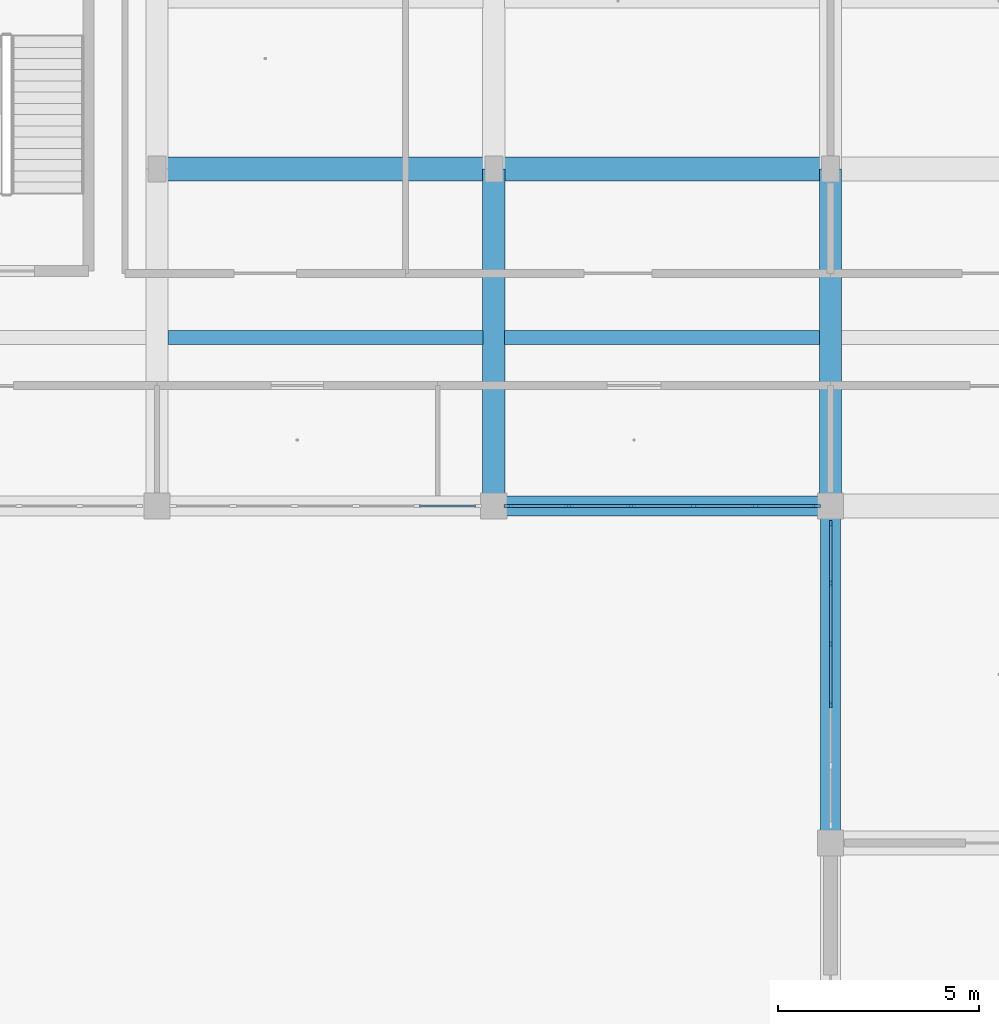
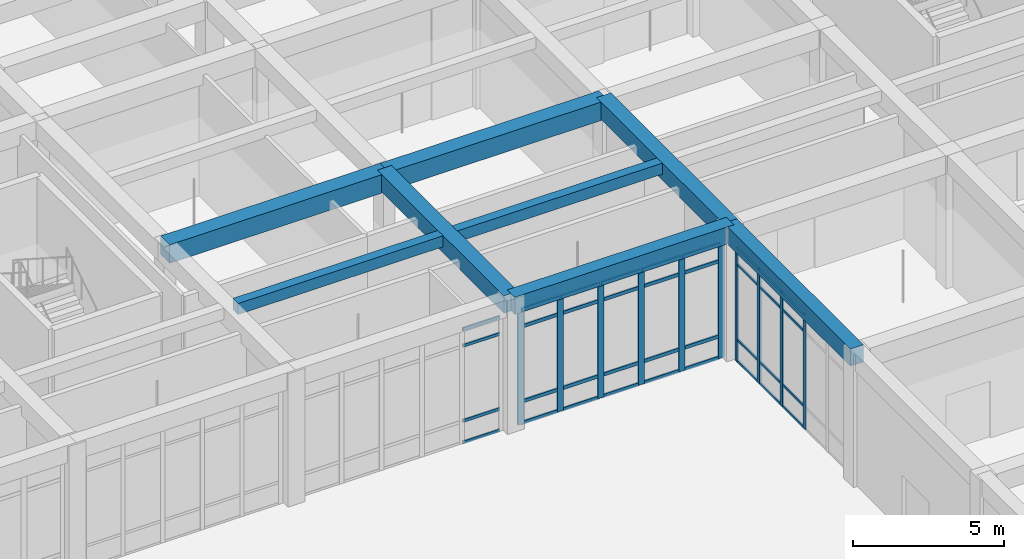
# One storey, part 28 of 167: 46 members, 8 beams, 3 elements without a shape of their own.
"""IFC4 building model written with IfcOpenShell, lengths in metres."""

from ifc_helpers import new_model, si_unit, direction, frame, origin, origin_2d, place, context, subcontext, project, spatial, rectangle, extrude, material, material_profile, profile_set, type_object, element, aggregate, save


model = new_model("IFC4")

# Units and contexts
model_context = context("Model", 3, precision=1e-05, world=origin(), true_north=direction((0.0, 1.0)))
body_context = subcontext(model_context, "Body", "Model", "MODEL_VIEW")
ifc_project = project(units=[si_unit("LENGTHUNIT", "METRE"), si_unit("AREAUNIT", "SQUARE_METRE"), si_unit("VOLUMEUNIT", "CUBIC_METRE"), si_unit("PLANEANGLEUNIT", "RADIAN"), si_unit("MASSUNIT", "GRAM", prefix="KILO")], contexts=[model_context])

# Site, building, storey
site_placement = place(None, origin())
site = spatial("IfcSite", under=ifc_project, at=site_placement, CompositionType="ELEMENT")
building_placement = place(site_placement, origin())
building = spatial("IfcBuilding", under=site, at=building_placement, Name="Varncliffe General Hospital", CompositionType="ELEMENT")
storey_placement = place(building_placement, origin())
storey = spatial("IfcBuildingStorey", under=building, at=storey_placement, Name="L00", CompositionType="ELEMENT", Elevation=0.0)

# Beams
ifc_material_1 = material(Name="Concrete C35/45 (CSA A23.1 35 MPa)", Category="concrete")
ifc_material_profile_1 = material_profile(ifc_material_1, rectangle(XDim=0.60009765625, YDim=0.75, at=origin_2d()), Name="RC 600x750")
ifc_profile_set_1 = profile_set([ifc_material_profile_1], Name="Concrete C35/45 (CSA A23.1 35 MPa)")
beam_type_1 = type_object("IfcBeamType", Name="Beam B23 (Int RC 600x750)", PredefinedType="BEAM", material=ifc_profile_set_1)
beam_1_placement = place(storey_placement, frame((42.0, 91.199951171875, 5.02490234375), z_axis=(1.0, 0.0, 0.0), x_axis=(0.0, 1.0, 0.0)))
element("IfcBeam", 1, at=beam_1_placement, inside=storey, type_object=beam_type_1, Name="L00 Primary Beam B23-137", PredefinedType="BEAM", context=body_context, shape_type="SweptSolid", body=[
    extrude(rectangle(XDim=0.60009765625, YDim=0.75, at=origin_2d()), origin(), (0.0, 0.0, 1.0), 8.39990234375),
])
beam_2_placement = place(storey_placement, frame((50.39990234375, 91.199951171875, 5.02490234375), z_axis=(1.0, 0.0, 0.0), x_axis=(0.0, 1.0, 0.0)))
element("IfcBeam", 2, at=beam_2_placement, inside=storey, type_object=beam_type_1, Name="L00 Primary Beam B23-138", PredefinedType="BEAM", context=body_context, shape_type="SweptSolid", body=[
    extrude(rectangle(XDim=0.60009765625, YDim=0.75, at=origin_2d()), origin(), (0.0, 0.0, 1.0), 8.400146484375),
])
ifc_material_profile_2 = material_profile(ifc_material_1, rectangle(XDim=0.550048828125, YDim=0.699951171875, at=origin_2d()), Name="RC 550x700")
ifc_profile_set_2 = profile_set([ifc_material_profile_2], Name="Concrete C35/45 (CSA A23.1 35 MPa)")
beam_type_2 = type_object("IfcBeamType", Name="Beam B35 (Int RC 550x700)", PredefinedType="BEAM", material=ifc_profile_set_2)
for number, where, z_axis, x_axis, name in (
    (3, (50.39990234375, 82.800048828125, 5.050048828125), (0.0, 1.0, 0.0), (-1.0, 0.0, 0.0), "L00 Primary Beam B35-345"),
    (4, (58.800048828125, 82.800048828125, 5.050048828125), (0.0, 1.0, 0.0), (-1.0, 0.0, 0.0), "L00 Primary Beam B35-361"),
):
    element("IfcBeam", number, at=place(storey_placement, frame(where, z_axis=z_axis, x_axis=x_axis)), inside=storey, type_object=beam_type_2, Name=name, PredefinedType="BEAM", context=body_context, shape_type="SweptSolid", body=[
        extrude(rectangle(XDim=0.550048828125, YDim=0.699951171875, at=origin_2d()), origin(), (0.0, 0.0, 1.0), 8.39990234375),
    ])

# Curtain wall, members
ifc_material_2 = material(Name="Triple low-E argon insulated vision glazing", Category="glass")
curtain_wall_type_1 = type_object("IfcCurtainWallType", Name="Unitised Glazed Curtain Wall CW26 (7594x4640)", PredefinedType="USERDEFINED", material=ifc_material_2)
curtain_wall_1_placement = place(storey_placement, origin())
curtain_wall_1 = element("IfcCurtainWall", 5, at=curtain_wall_1_placement, inside=storey, type_object=curtain_wall_type_1, Name="L00 Glazed Curtain Wall CW26-23", ObjectType="GLAZED CURTAIN WALL", PredefinedType="USERDEFINED")
ifc_material_3 = material(Name="Dark bronze thermally broken aluminium framing", Category="aluminium")
ifc_material_profile_3 = material_profile(ifc_material_3, rectangle(XDim=0.06494140625, YDim=0.159912109375, at=origin_2d()), Name="ALU 65x160")
ifc_profile_set_3 = profile_set([ifc_material_profile_3], Name="Dark bronze thermally broken aluminium framing")
member_type_1 = type_object("IfcMemberType", Name="Curtain Wall Mullion CM65 (ALU 65x160)", PredefinedType="MULLION", material=ifc_profile_set_3)
member_1_placement = place(storey_placement, frame((58.800048828125, 77.840576171875, 0.0), z_axis=(0.0, 0.0, 1.0), x_axis=(-1.0, 0.0, 0.0)))
member_1 = element("IfcMember", 6, at=member_1_placement, type_object=member_type_1, Name="CW26 mullion 3", PredefinedType="MULLION", context=body_context, shape_type="SweptSolid", body=[
    extrude(rectangle(XDim=0.06494140625, YDim=0.159912109375, at=origin_2d()), origin(), (0.0, 0.0, 1.0), 4.639892578125),
])
member_2_placement = place(storey_placement, frame((58.800048828125, 79.359375, 0.0), z_axis=(0.0, 0.0, 1.0), x_axis=(-1.0, 0.0, 0.0)))
member_2 = element("IfcMember", 7, at=member_2_placement, type_object=member_type_1, Name="CW26 mullion 4", PredefinedType="MULLION", context=body_context, shape_type="SweptSolid", body=[
    extrude(rectangle(XDim=0.06494140625, YDim=0.159912109375, at=origin_2d()), origin(), (0.0, 0.0, 1.0), 4.639892578125),
])
member_3_placement = place(storey_placement, frame((58.800048828125, 80.878173828125, 0.0), z_axis=(0.0, 0.0, 1.0), x_axis=(-1.0, 0.0, 0.0)))
member_3 = element("IfcMember", 8, at=member_3_placement, type_object=member_type_1, Name="CW26 mullion 5", PredefinedType="MULLION", context=body_context, shape_type="SweptSolid", body=[
    extrude(rectangle(XDim=0.06494140625, YDim=0.159912109375, at=origin_2d()), origin(), (0.0, 0.0, 1.0), 4.639892578125),
])
member_4_placement = place(storey_placement, frame((58.800048828125, 82.364501953125, 0.0), z_axis=(0.0, 0.0, 1.0), x_axis=(-1.0, 0.0, 0.0)))
member_4 = element("IfcMember", 9, at=member_4_placement, type_object=member_type_1, Name="CW26 mullion 6", PredefinedType="MULLION", context=body_context, shape_type="SweptSolid", body=[
    extrude(rectangle(XDim=0.06494140625, YDim=0.159912109375, at=origin_2d()), origin(), (0.0, 0.0, 1.0), 4.639892578125),
])

curtain_wall_type_2 = type_object("IfcCurtainWallType", Name="Unitised Glazed Curtain Wall CW66 (7754x4640)", PredefinedType="USERDEFINED", material=ifc_material_2)
curtain_wall_2_placement = place(storey_placement, origin())
curtain_wall_2 = element("IfcCurtainWall", 10, at=curtain_wall_2_placement, inside=storey, type_object=curtain_wall_type_2, Name="L00 Glazed Curtain Wall CW66-24", ObjectType="GLAZED CURTAIN WALL", PredefinedType="USERDEFINED")
ifc_material_profile_4 = material_profile(ifc_material_3, rectangle(XDim=0.074951171875, YDim=0.219970703125, at=origin_2d()), Name="ALU 75x220")
ifc_profile_set_4 = profile_set([ifc_material_profile_4], Name="Dark bronze thermally broken aluminium framing")
member_type_2 = type_object("IfcMemberType", Name="Curtain Wall Mullion CM74 (ALU 75x220)", PredefinedType="MULLION", material=ifc_profile_set_4)
member_5_placement = place(storey_placement, frame((58.439453125, 82.800048828125, 0.0), z_axis=(0.0, 0.0, 1.0), x_axis=(0.0, -1.0, 0.0)))
member_5 = element("IfcMember", 11, at=member_5_placement, type_object=member_type_2, Name="CW66 mullion 1", PredefinedType="MULLION", context=body_context, shape_type="SweptSolid", body=[
    extrude(rectangle(XDim=0.074951171875, YDim=0.219970703125, at=origin_2d()), origin(), (0.0, 0.0, 1.0), 4.639892578125),
])
member_6_placement = place(storey_placement, frame((56.92626953125, 82.800048828125, 0.0), z_axis=(0.0, 0.0, 1.0), x_axis=(0.0, -1.0, 0.0)))
member_6 = element("IfcMember", 12, at=member_6_placement, type_object=member_type_2, Name="CW66 mullion 2", PredefinedType="MULLION", context=body_context, shape_type="SweptSolid", body=[
    extrude(rectangle(XDim=0.074951171875, YDim=0.219970703125, at=origin_2d()), origin(), (0.0, 0.0, 1.0), 4.639892578125),
])
member_7_placement = place(storey_placement, frame((55.37548828125, 82.800048828125, 0.0), z_axis=(0.0, 0.0, 1.0), x_axis=(0.0, -1.0, 0.0)))
member_7 = element("IfcMember", 13, at=member_7_placement, type_object=member_type_2, Name="CW66 mullion 3", PredefinedType="MULLION", context=body_context, shape_type="SweptSolid", body=[
    extrude(rectangle(XDim=0.074951171875, YDim=0.219970703125, at=origin_2d()), origin(), (0.0, 0.0, 1.0), 4.639892578125),
])
member_8_placement = place(storey_placement, frame((53.82470703125, 82.800048828125, 0.0), z_axis=(0.0, 0.0, 1.0), x_axis=(0.0, -1.0, 0.0)))
member_8 = element("IfcMember", 14, at=member_8_placement, type_object=member_type_2, Name="CW66 mullion 4", PredefinedType="MULLION", context=body_context, shape_type="SweptSolid", body=[
    extrude(rectangle(XDim=0.074951171875, YDim=0.219970703125, at=origin_2d()), origin(), (0.0, 0.0, 1.0), 4.639892578125),
])
member_9_placement = place(storey_placement, frame((52.273681640625, 82.800048828125, 0.0), z_axis=(0.0, 0.0, 1.0), x_axis=(0.0, -1.0, 0.0)))
member_9 = element("IfcMember", 15, at=member_9_placement, type_object=member_type_2, Name="CW66 mullion 5", PredefinedType="MULLION", context=body_context, shape_type="SweptSolid", body=[
    extrude(rectangle(XDim=0.074951171875, YDim=0.219970703125, at=origin_2d()), origin(), (0.0, 0.0, 1.0), 4.639892578125),
])
member_10_placement = place(storey_placement, frame((50.760498046875, 82.800048828125, 0.0), z_axis=(0.0, 0.0, 1.0), x_axis=(0.0, -1.0, 0.0)))
member_10 = element("IfcMember", 16, at=member_10_placement, type_object=member_type_2, Name="CW66 mullion 6", PredefinedType="MULLION", context=body_context, shape_type="SweptSolid", body=[
    extrude(rectangle(XDim=0.074951171875, YDim=0.219970703125, at=origin_2d()), origin(), (0.0, 0.0, 1.0), 4.639892578125),
])

curtain_wall_type_3 = type_object("IfcCurtainWallType", Name="Unitised Glazed Curtain Wall CW15 (7674x4640)", PredefinedType="USERDEFINED", material=ifc_material_2)
curtain_wall_3_placement = place(storey_placement, origin())
curtain_wall_3 = element("IfcCurtainWall", 17, at=curtain_wall_3_placement, inside=storey, type_object=curtain_wall_type_3, Name="L00 Glazed Curtain Wall CW15-25", ObjectType="GLAZED CURTAIN WALL", PredefinedType="USERDEFINED")
ifc_material_profile_5 = material_profile(ifc_material_3, rectangle(XDim=0.06005859375, YDim=0.1201171875, at=origin_2d()), Name="ALU 60x120")
ifc_profile_set_5 = profile_set([ifc_material_profile_5], Name="Dark bronze thermally broken aluminium framing")
member_type_3 = type_object("IfcMemberType", Name="Curtain Wall Transom CT14 (ALU 60x120)", PredefinedType="USERDEFINED", material=ifc_profile_set_5)
member_11_placement = place(storey_placement, frame((49.9619140625, 82.800048828125, 0.030029296875), z_axis=(-1.0, 0.0, 0.0), x_axis=(0.0, -1.0, 0.0)))
member_11 = element("IfcMember", 18, at=member_11_placement, type_object=member_type_3, Name="CW15 transom 1.1", ObjectType="TRANSOM", PredefinedType="USERDEFINED", context=body_context, shape_type="SweptSolid", body=[
    extrude(rectangle(XDim=0.06005859375, YDim=0.1201171875, at=origin_2d()), origin(), (0.0, 0.0, 1.0), 1.422119140625),
])
member_12_placement = place(storey_placement, frame((49.9619140625, 82.800048828125, 0.89990234375), z_axis=(-1.0, 0.0, 0.0), x_axis=(0.0, -1.0, 0.0)))
member_12 = element("IfcMember", 19, at=member_12_placement, type_object=member_type_3, Name="CW15 transom 1.2", ObjectType="TRANSOM", PredefinedType="USERDEFINED", context=body_context, shape_type="SweptSolid", body=[
    extrude(rectangle(XDim=0.06005859375, YDim=0.1201171875, at=origin_2d()), origin(), (0.0, 0.0, 1.0), 1.422119140625),
])
member_13_placement = place(storey_placement, frame((49.9619140625, 82.800048828125, 3.93994140625), z_axis=(-1.0, 0.0, 0.0), x_axis=(0.0, -1.0, 0.0)))
member_13 = element("IfcMember", 20, at=member_13_placement, type_object=member_type_3, Name="CW15 transom 1.3", ObjectType="TRANSOM", PredefinedType="USERDEFINED", context=body_context, shape_type="SweptSolid", body=[
    extrude(rectangle(XDim=0.06005859375, YDim=0.1201171875, at=origin_2d()), origin(), (0.0, 0.0, 1.0), 1.422119140625),
])
member_14_placement = place(storey_placement, frame((49.9619140625, 82.800048828125, 4.610107421875), z_axis=(-1.0, 0.0, 0.0), x_axis=(0.0, -1.0, 0.0)))
member_14 = element("IfcMember", 21, at=member_14_placement, type_object=member_type_3, Name="CW15 transom 1.4", ObjectType="TRANSOM", PredefinedType="USERDEFINED", context=body_context, shape_type="SweptSolid", body=[
    extrude(rectangle(XDim=0.06005859375, YDim=0.1201171875, at=origin_2d()), origin(), (0.0, 0.0, 1.0), 1.422119140625),
])
aggregate(curtain_wall_3, [member_11, member_12, member_13, member_14])

# Member
ifc_material_profile_6 = material_profile(ifc_material_3, rectangle(XDim=0.06005859375, YDim=0.10009765625, at=origin_2d()), Name="ALU 60x100")
ifc_profile_set_6 = profile_set([ifc_material_profile_6], Name="Dark bronze thermally broken aluminium framing")
member_type_4 = type_object("IfcMemberType", Name="Curtain Wall Transom CT18 (ALU 60x100)", PredefinedType="USERDEFINED", material=ifc_profile_set_6)
member_15_placement = place(storey_placement, frame((58.800048828125, 77.873046875, 0.030029296875), z_axis=(0.0, 1.0, 0.0), x_axis=(-1.0, 0.0, 0.0)))
member_15 = element("IfcMember", 22, at=member_15_placement, type_object=member_type_4, Name="CW26 transom 3.1", ObjectType="TRANSOM", PredefinedType="USERDEFINED", context=body_context, shape_type="SweptSolid", body=[
    extrude(rectangle(XDim=0.06005859375, YDim=0.10009765625, at=origin_2d()), origin(), (0.0, 0.0, 1.0), 1.453857421875),
])

member_16_placement = place(storey_placement, frame((58.800048828125, 77.873046875, 0.89990234375), z_axis=(0.0, 1.0, 0.0), x_axis=(-1.0, 0.0, 0.0)))
member_16 = element("IfcMember", 23, at=member_16_placement, type_object=member_type_4, Name="CW26 transom 3.2", ObjectType="TRANSOM", PredefinedType="USERDEFINED", context=body_context, shape_type="SweptSolid", body=[
    extrude(rectangle(XDim=0.06005859375, YDim=0.10009765625, at=origin_2d()), origin(), (0.0, 0.0, 1.0), 1.453857421875),
])

member_17_placement = place(storey_placement, frame((58.800048828125, 77.873046875, 3.93994140625), z_axis=(0.0, 1.0, 0.0), x_axis=(-1.0, 0.0, 0.0)))
member_17 = element("IfcMember", 24, at=member_17_placement, type_object=member_type_4, Name="CW26 transom 3.3", ObjectType="TRANSOM", PredefinedType="USERDEFINED", context=body_context, shape_type="SweptSolid", body=[
    extrude(rectangle(XDim=0.06005859375, YDim=0.10009765625, at=origin_2d()), origin(), (0.0, 0.0, 1.0), 1.453857421875),
])

member_18_placement = place(storey_placement, frame((58.800048828125, 77.873046875, 4.610107421875), z_axis=(0.0, 1.0, 0.0), x_axis=(-1.0, 0.0, 0.0)))
member_18 = element("IfcMember", 25, at=member_18_placement, type_object=member_type_4, Name="CW26 transom 3.4", ObjectType="TRANSOM", PredefinedType="USERDEFINED", context=body_context, shape_type="SweptSolid", body=[
    extrude(rectangle(XDim=0.06005859375, YDim=0.10009765625, at=origin_2d()), origin(), (0.0, 0.0, 1.0), 1.453857421875),
])

member_19_placement = place(storey_placement, frame((58.800048828125, 79.391845703125, 0.030029296875), z_axis=(0.0, 1.0, 0.0), x_axis=(-1.0, 0.0, 0.0)))
member_19 = element("IfcMember", 26, at=member_19_placement, type_object=member_type_4, Name="CW26 transom 4.1", ObjectType="TRANSOM", PredefinedType="USERDEFINED", context=body_context, shape_type="SweptSolid", body=[
    extrude(rectangle(XDim=0.06005859375, YDim=0.10009765625, at=origin_2d()), origin(), (0.0, 0.0, 1.0), 1.453857421875),
])

member_20_placement = place(storey_placement, frame((58.800048828125, 79.391845703125, 0.89990234375), z_axis=(0.0, 1.0, 0.0), x_axis=(-1.0, 0.0, 0.0)))
member_20 = element("IfcMember", 27, at=member_20_placement, type_object=member_type_4, Name="CW26 transom 4.2", ObjectType="TRANSOM", PredefinedType="USERDEFINED", context=body_context, shape_type="SweptSolid", body=[
    extrude(rectangle(XDim=0.06005859375, YDim=0.10009765625, at=origin_2d()), origin(), (0.0, 0.0, 1.0), 1.453857421875),
])

member_21_placement = place(storey_placement, frame((58.800048828125, 79.391845703125, 3.93994140625), z_axis=(0.0, 1.0, 0.0), x_axis=(-1.0, 0.0, 0.0)))
member_21 = element("IfcMember", 28, at=member_21_placement, type_object=member_type_4, Name="CW26 transom 4.3", ObjectType="TRANSOM", PredefinedType="USERDEFINED", context=body_context, shape_type="SweptSolid", body=[
    extrude(rectangle(XDim=0.06005859375, YDim=0.10009765625, at=origin_2d()), origin(), (0.0, 0.0, 1.0), 1.453857421875),
])

member_22_placement = place(storey_placement, frame((58.800048828125, 79.391845703125, 4.610107421875), z_axis=(0.0, 1.0, 0.0), x_axis=(-1.0, 0.0, 0.0)))
member_22 = element("IfcMember", 29, at=member_22_placement, type_object=member_type_4, Name="CW26 transom 4.4", ObjectType="TRANSOM", PredefinedType="USERDEFINED", context=body_context, shape_type="SweptSolid", body=[
    extrude(rectangle(XDim=0.06005859375, YDim=0.10009765625, at=origin_2d()), origin(), (0.0, 0.0, 1.0), 1.453857421875),
])

member_23_placement = place(storey_placement, frame((58.800048828125, 80.91064453125, 0.030029296875), z_axis=(0.0, 1.0, 0.0), x_axis=(-1.0, 0.0, 0.0)))
member_23 = element("IfcMember", 30, at=member_23_placement, type_object=member_type_4, Name="CW26 transom 5.1", ObjectType="TRANSOM", PredefinedType="USERDEFINED", context=body_context, shape_type="SweptSolid", body=[
    extrude(rectangle(XDim=0.06005859375, YDim=0.10009765625, at=origin_2d()), origin(), (0.0, 0.0, 1.0), 1.42138671875),
])

member_24_placement = place(storey_placement, frame((58.800048828125, 80.91064453125, 0.89990234375), z_axis=(0.0, 1.0, 0.0), x_axis=(-1.0, 0.0, 0.0)))
member_24 = element("IfcMember", 31, at=member_24_placement, type_object=member_type_4, Name="CW26 transom 5.2", ObjectType="TRANSOM", PredefinedType="USERDEFINED", context=body_context, shape_type="SweptSolid", body=[
    extrude(rectangle(XDim=0.06005859375, YDim=0.10009765625, at=origin_2d()), origin(), (0.0, 0.0, 1.0), 1.42138671875),
])

member_25_placement = place(storey_placement, frame((58.800048828125, 80.91064453125, 3.93994140625), z_axis=(0.0, 1.0, 0.0), x_axis=(-1.0, 0.0, 0.0)))
member_25 = element("IfcMember", 32, at=member_25_placement, type_object=member_type_4, Name="CW26 transom 5.3", ObjectType="TRANSOM", PredefinedType="USERDEFINED", context=body_context, shape_type="SweptSolid", body=[
    extrude(rectangle(XDim=0.06005859375, YDim=0.10009765625, at=origin_2d()), origin(), (0.0, 0.0, 1.0), 1.42138671875),
])

member_26_placement = place(storey_placement, frame((58.800048828125, 80.91064453125, 4.610107421875), z_axis=(0.0, 1.0, 0.0), x_axis=(-1.0, 0.0, 0.0)))
member_26 = element("IfcMember", 33, at=member_26_placement, type_object=member_type_4, Name="CW26 transom 5.4", ObjectType="TRANSOM", PredefinedType="USERDEFINED", context=body_context, shape_type="SweptSolid", body=[
    extrude(rectangle(XDim=0.06005859375, YDim=0.10009765625, at=origin_2d()), origin(), (0.0, 0.0, 1.0), 1.42138671875),
])

aggregate(curtain_wall_1, [member_1, member_2, member_3, member_4, member_15, member_16, member_17, member_18, member_19, member_20, member_21, member_22, member_23, member_24, member_25, member_26])

ifc_material_profile_7 = material_profile(ifc_material_3, rectangle(XDim=0.06494140625, YDim=0.139892578125, at=origin_2d()), Name="ALU 65x140")
ifc_profile_set_7 = profile_set([ifc_material_profile_7], Name="Dark bronze thermally broken aluminium framing")
member_type_5 = type_object("IfcMemberType", Name="Curtain Wall Transom CT69 (ALU 65x140)", PredefinedType="USERDEFINED", material=ifc_profile_set_7)
member_27_placement = place(storey_placement, frame((58.402099609375, 82.800048828125, 0.032470703125), z_axis=(-1.0, 0.0, 0.0), x_axis=(0.0, -1.0, 0.0)))
member_27 = element("IfcMember", 34, at=member_27_placement, type_object=member_type_5, Name="CW66 transom 1.1", ObjectType="TRANSOM", PredefinedType="USERDEFINED", context=body_context, shape_type="SweptSolid", body=[
    extrude(rectangle(XDim=0.06494140625, YDim=0.139892578125, at=origin_2d()), origin(), (0.0, 0.0, 1.0), 1.4384765625),
])

member_28_placement = place(storey_placement, frame((58.402099609375, 82.800048828125, 0.89990234375), z_axis=(-1.0, 0.0, 0.0), x_axis=(0.0, -1.0, 0.0)))
member_28 = element("IfcMember", 35, at=member_28_placement, type_object=member_type_5, Name="CW66 transom 1.2", ObjectType="TRANSOM", PredefinedType="USERDEFINED", context=body_context, shape_type="SweptSolid", body=[
    extrude(rectangle(XDim=0.06494140625, YDim=0.139892578125, at=origin_2d()), origin(), (0.0, 0.0, 1.0), 1.4384765625),
])

member_29_placement = place(storey_placement, frame((58.402099609375, 82.800048828125, 3.93994140625), z_axis=(-1.0, 0.0, 0.0), x_axis=(0.0, -1.0, 0.0)))
member_29 = element("IfcMember", 36, at=member_29_placement, type_object=member_type_5, Name="CW66 transom 1.3", ObjectType="TRANSOM", PredefinedType="USERDEFINED", context=body_context, shape_type="SweptSolid", body=[
    extrude(rectangle(XDim=0.06494140625, YDim=0.139892578125, at=origin_2d()), origin(), (0.0, 0.0, 1.0), 1.4384765625),
])

member_30_placement = place(storey_placement, frame((58.402099609375, 82.800048828125, 4.607421875), z_axis=(-1.0, 0.0, 0.0), x_axis=(0.0, -1.0, 0.0)))
member_30 = element("IfcMember", 37, at=member_30_placement, type_object=member_type_5, Name="CW66 transom 1.4", ObjectType="TRANSOM", PredefinedType="USERDEFINED", context=body_context, shape_type="SweptSolid", body=[
    extrude(rectangle(XDim=0.06494140625, YDim=0.139892578125, at=origin_2d()), origin(), (0.0, 0.0, 1.0), 1.4384765625),
])

member_31_placement = place(storey_placement, frame((56.888671875, 82.800048828125, 0.032470703125), z_axis=(-1.0, 0.0, 0.0), x_axis=(0.0, -1.0, 0.0)))
member_31 = element("IfcMember", 38, at=member_31_placement, type_object=member_type_5, Name="CW66 transom 2.1", ObjectType="TRANSOM", PredefinedType="USERDEFINED", context=body_context, shape_type="SweptSolid", body=[
    extrude(rectangle(XDim=0.06494140625, YDim=0.139892578125, at=origin_2d()), origin(), (0.0, 0.0, 1.0), 1.475830078125),
])

member_32_placement = place(storey_placement, frame((56.888671875, 82.800048828125, 0.89990234375), z_axis=(-1.0, 0.0, 0.0), x_axis=(0.0, -1.0, 0.0)))
member_32 = element("IfcMember", 39, at=member_32_placement, type_object=member_type_5, Name="CW66 transom 2.2", ObjectType="TRANSOM", PredefinedType="USERDEFINED", context=body_context, shape_type="SweptSolid", body=[
    extrude(rectangle(XDim=0.06494140625, YDim=0.139892578125, at=origin_2d()), origin(), (0.0, 0.0, 1.0), 1.475830078125),
])

member_33_placement = place(storey_placement, frame((56.888671875, 82.800048828125, 3.93994140625), z_axis=(-1.0, 0.0, 0.0), x_axis=(0.0, -1.0, 0.0)))
member_33 = element("IfcMember", 40, at=member_33_placement, type_object=member_type_5, Name="CW66 transom 2.3", ObjectType="TRANSOM", PredefinedType="USERDEFINED", context=body_context, shape_type="SweptSolid", body=[
    extrude(rectangle(XDim=0.06494140625, YDim=0.139892578125, at=origin_2d()), origin(), (0.0, 0.0, 1.0), 1.475830078125),
])

member_34_placement = place(storey_placement, frame((56.888671875, 82.800048828125, 4.607421875), z_axis=(-1.0, 0.0, 0.0), x_axis=(0.0, -1.0, 0.0)))
member_34 = element("IfcMember", 41, at=member_34_placement, type_object=member_type_5, Name="CW66 transom 2.4", ObjectType="TRANSOM", PredefinedType="USERDEFINED", context=body_context, shape_type="SweptSolid", body=[
    extrude(rectangle(XDim=0.06494140625, YDim=0.139892578125, at=origin_2d()), origin(), (0.0, 0.0, 1.0), 1.475830078125),
])

member_35_placement = place(storey_placement, frame((55.337890625, 82.800048828125, 0.032470703125), z_axis=(-1.0, 0.0, 0.0), x_axis=(0.0, -1.0, 0.0)))
member_35 = element("IfcMember", 42, at=member_35_placement, type_object=member_type_5, Name="CW66 transom 3.1", ObjectType="TRANSOM", PredefinedType="USERDEFINED", context=body_context, shape_type="SweptSolid", body=[
    extrude(rectangle(XDim=0.06494140625, YDim=0.139892578125, at=origin_2d()), origin(), (0.0, 0.0, 1.0), 1.475830078125),
])

member_36_placement = place(storey_placement, frame((55.337890625, 82.800048828125, 0.89990234375), z_axis=(-1.0, 0.0, 0.0), x_axis=(0.0, -1.0, 0.0)))
member_36 = element("IfcMember", 43, at=member_36_placement, type_object=member_type_5, Name="CW66 transom 3.2", ObjectType="TRANSOM", PredefinedType="USERDEFINED", context=body_context, shape_type="SweptSolid", body=[
    extrude(rectangle(XDim=0.06494140625, YDim=0.139892578125, at=origin_2d()), origin(), (0.0, 0.0, 1.0), 1.475830078125),
])

member_37_placement = place(storey_placement, frame((55.337890625, 82.800048828125, 3.93994140625), z_axis=(-1.0, 0.0, 0.0), x_axis=(0.0, -1.0, 0.0)))
member_37 = element("IfcMember", 44, at=member_37_placement, type_object=member_type_5, Name="CW66 transom 3.3", ObjectType="TRANSOM", PredefinedType="USERDEFINED", context=body_context, shape_type="SweptSolid", body=[
    extrude(rectangle(XDim=0.06494140625, YDim=0.139892578125, at=origin_2d()), origin(), (0.0, 0.0, 1.0), 1.475830078125),
])

member_38_placement = place(storey_placement, frame((55.337890625, 82.800048828125, 4.607421875), z_axis=(-1.0, 0.0, 0.0), x_axis=(0.0, -1.0, 0.0)))
member_38 = element("IfcMember", 45, at=member_38_placement, type_object=member_type_5, Name="CW66 transom 3.4", ObjectType="TRANSOM", PredefinedType="USERDEFINED", context=body_context, shape_type="SweptSolid", body=[
    extrude(rectangle(XDim=0.06494140625, YDim=0.139892578125, at=origin_2d()), origin(), (0.0, 0.0, 1.0), 1.475830078125),
])

member_39_placement = place(storey_placement, frame((53.787109375, 82.800048828125, 0.032470703125), z_axis=(-1.0, 0.0, 0.0), x_axis=(0.0, -1.0, 0.0)))
member_39 = element("IfcMember", 46, at=member_39_placement, type_object=member_type_5, Name="CW66 transom 4.1", ObjectType="TRANSOM", PredefinedType="USERDEFINED", context=body_context, shape_type="SweptSolid", body=[
    extrude(rectangle(XDim=0.06494140625, YDim=0.139892578125, at=origin_2d()), origin(), (0.0, 0.0, 1.0), 1.475830078125),
])

member_40_placement = place(storey_placement, frame((53.787109375, 82.800048828125, 0.89990234375), z_axis=(-1.0, 0.0, 0.0), x_axis=(0.0, -1.0, 0.0)))
member_40 = element("IfcMember", 47, at=member_40_placement, type_object=member_type_5, Name="CW66 transom 4.2", ObjectType="TRANSOM", PredefinedType="USERDEFINED", context=body_context, shape_type="SweptSolid", body=[
    extrude(rectangle(XDim=0.06494140625, YDim=0.139892578125, at=origin_2d()), origin(), (0.0, 0.0, 1.0), 1.475830078125),
])

member_41_placement = place(storey_placement, frame((53.787109375, 82.800048828125, 3.93994140625), z_axis=(-1.0, 0.0, 0.0), x_axis=(0.0, -1.0, 0.0)))
member_41 = element("IfcMember", 48, at=member_41_placement, type_object=member_type_5, Name="CW66 transom 4.3", ObjectType="TRANSOM", PredefinedType="USERDEFINED", context=body_context, shape_type="SweptSolid", body=[
    extrude(rectangle(XDim=0.06494140625, YDim=0.139892578125, at=origin_2d()), origin(), (0.0, 0.0, 1.0), 1.475830078125),
])

member_42_placement = place(storey_placement, frame((53.787109375, 82.800048828125, 4.607421875), z_axis=(-1.0, 0.0, 0.0), x_axis=(0.0, -1.0, 0.0)))
member_42 = element("IfcMember", 49, at=member_42_placement, type_object=member_type_5, Name="CW66 transom 4.4", ObjectType="TRANSOM", PredefinedType="USERDEFINED", context=body_context, shape_type="SweptSolid", body=[
    extrude(rectangle(XDim=0.06494140625, YDim=0.139892578125, at=origin_2d()), origin(), (0.0, 0.0, 1.0), 1.475830078125),
])

member_43_placement = place(storey_placement, frame((52.236328125, 82.800048828125, 0.032470703125), z_axis=(-1.0, 0.0, 0.0), x_axis=(0.0, -1.0, 0.0)))
member_43 = element("IfcMember", 50, at=member_43_placement, type_object=member_type_5, Name="CW66 transom 5.1", ObjectType="TRANSOM", PredefinedType="USERDEFINED", context=body_context, shape_type="SweptSolid", body=[
    extrude(rectangle(XDim=0.06494140625, YDim=0.139892578125, at=origin_2d()), origin(), (0.0, 0.0, 1.0), 1.438232421875),
])

member_44_placement = place(storey_placement, frame((52.236328125, 82.800048828125, 0.89990234375), z_axis=(-1.0, 0.0, 0.0), x_axis=(0.0, -1.0, 0.0)))
member_44 = element("IfcMember", 51, at=member_44_placement, type_object=member_type_5, Name="CW66 transom 5.2", ObjectType="TRANSOM", PredefinedType="USERDEFINED", context=body_context, shape_type="SweptSolid", body=[
    extrude(rectangle(XDim=0.06494140625, YDim=0.139892578125, at=origin_2d()), origin(), (0.0, 0.0, 1.0), 1.438232421875),
])

member_45_placement = place(storey_placement, frame((52.236328125, 82.800048828125, 3.93994140625), z_axis=(-1.0, 0.0, 0.0), x_axis=(0.0, -1.0, 0.0)))
member_45 = element("IfcMember", 52, at=member_45_placement, type_object=member_type_5, Name="CW66 transom 5.3", ObjectType="TRANSOM", PredefinedType="USERDEFINED", context=body_context, shape_type="SweptSolid", body=[
    extrude(rectangle(XDim=0.06494140625, YDim=0.139892578125, at=origin_2d()), origin(), (0.0, 0.0, 1.0), 1.438232421875),
])

member_46_placement = place(storey_placement, frame((52.236328125, 82.800048828125, 4.607421875), z_axis=(-1.0, 0.0, 0.0), x_axis=(0.0, -1.0, 0.0)))
member_46 = element("IfcMember", 53, at=member_46_placement, type_object=member_type_5, Name="CW66 transom 5.4", ObjectType="TRANSOM", PredefinedType="USERDEFINED", context=body_context, shape_type="SweptSolid", body=[
    extrude(rectangle(XDim=0.06494140625, YDim=0.139892578125, at=origin_2d()), origin(), (0.0, 0.0, 1.0), 1.438232421875),
])

aggregate(curtain_wall_2, [member_5, member_6, member_7, member_8, member_9, member_10, member_27, member_28, member_29, member_30, member_31, member_32, member_33, member_34, member_35, member_36, member_37, member_38, member_39, member_40, member_41, member_42, member_43, member_44, member_45, member_46])

# Beams
ifc_material_profile_8 = material_profile(ifc_material_1, rectangle(XDim=0.35009765625, YDim=0.449951171875, at=origin_2d()), Name="RC 350x450")
ifc_profile_set_8 = profile_set([ifc_material_profile_8], Name="Concrete C35/45 (CSA A23.1 35 MPa)")
beam_type_3 = type_object("IfcBeamType", Name="Joist J55 (Int RC 350x450)", PredefinedType="JOIST", material=ifc_profile_set_8)
for number, where, z_axis, x_axis, name in (
    (54, (42.27294921875, 87.0, 5.175048828125), (1.0, 0.0, 0.0), (0.0, 1.0, 0.0), "L00 Secondary Floor Rib J55-23"),
    (55, (50.673095703125, 87.0, 5.175048828125), (1.0, 0.0, 0.0), (0.0, 1.0, 0.0), "L00 Secondary Floor Rib J55-27"),
):
    element("IfcBeam", number, at=place(storey_placement, frame(where, z_axis=z_axis, x_axis=x_axis)), inside=storey, type_object=beam_type_3, Name=name, PredefinedType="JOIST", context=body_context, shape_type="SweptSolid", body=[
        extrude(rectangle(XDim=0.35009765625, YDim=0.449951171875, at=origin_2d()), origin(), (0.0, 0.0, 1.0), 7.85400390625),
    ])
ifc_material_profile_9 = material_profile(ifc_material_1, rectangle(XDim=0.5, YDim=0.699951171875, at=origin_2d()), Name="RC 500x700")
ifc_profile_set_9 = profile_set([ifc_material_profile_9], Name="Concrete C35/45 (CSA A23.1 35 MPa)")
beam_type_4 = type_object("IfcBeamType", Name="Spandrel SP19 (Ext RC 500x700)", PredefinedType="SPANDREL", material=ifc_profile_set_9)
for number, where, z_axis, x_axis, name in (
    (56, (50.39990234375, 82.800048828125, 5.050048828125), (1.0, 0.0, 0.0), (0.0, 1.0, 0.0), "L00 Spandrel Beam SP19-118"),
    (57, (58.800048828125, 74.39990234375, 5.050048828125), (0.0, 1.0, 0.0), (-1.0, 0.0, 0.0), "L00 Spandrel Beam SP19-360"),
):
    element("IfcBeam", number, at=place(storey_placement, frame(where, z_axis=z_axis, x_axis=x_axis)), inside=storey, type_object=beam_type_4, Name=name, PredefinedType="SPANDREL", context=body_context, shape_type="SweptSolid", body=[
        extrude(rectangle(XDim=0.5, YDim=0.699951171875, at=origin_2d()), origin(), (0.0, 0.0, 1.0), 8.400146484375),
    ])

save(model, "model.ifc")
